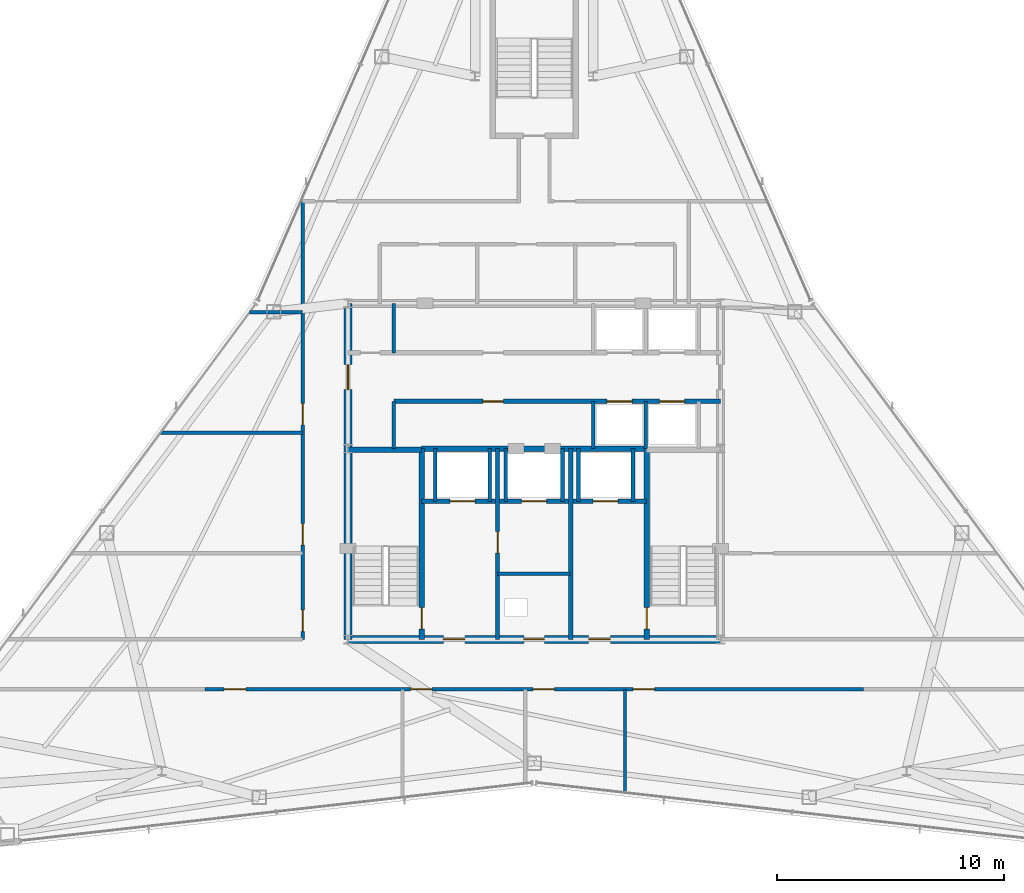
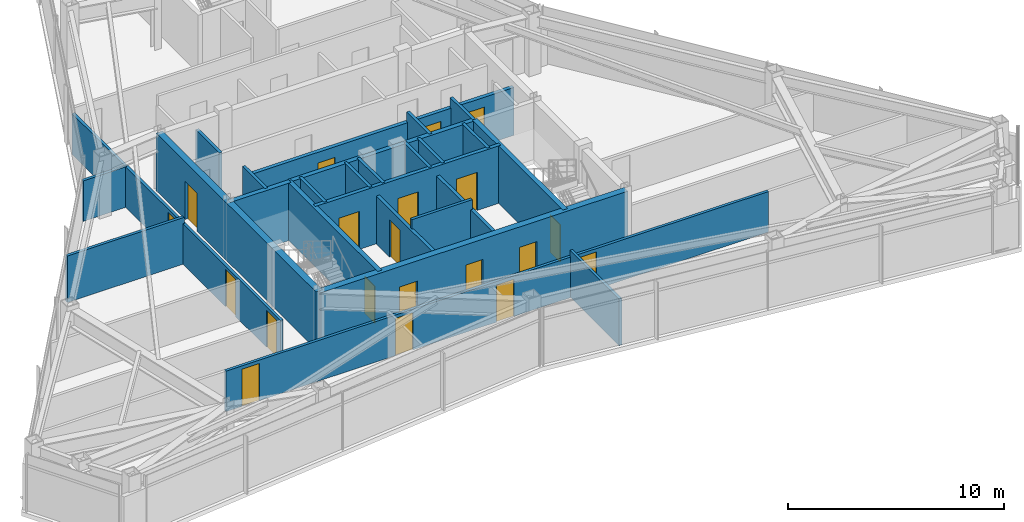
# One storey, part 9 of 12: 26 walls, 20 doors, 20 openings.
"""IFC4 building model written with IfcOpenShell, lengths in metres."""

from ifc_helpers import new_model, si_unit, direction, frame, frame_2d, origin, place, context, subcontext, project, spatial, rectangle, extrude, material, layer, layer_set, type_object, element, fill, save


model = new_model("IFC4")

# Units and contexts
model_context = context("Model", 3, precision=1e-05, world=origin(), true_north=direction((0.0, 1.0)))
body_context = subcontext(model_context, "Body", "Model", "MODEL_VIEW")
ifc_project = project(units=[si_unit("LENGTHUNIT", "METRE"), si_unit("AREAUNIT", "SQUARE_METRE"), si_unit("VOLUMEUNIT", "CUBIC_METRE"), si_unit("PLANEANGLEUNIT", "RADIAN"), si_unit("MASSUNIT", "GRAM", prefix="KILO")], contexts=[model_context])

# Site, building, storey
site_placement = place(None, origin())
site = spatial("IfcSite", under=ifc_project, at=site_placement, CompositionType="ELEMENT")
building_placement = place(site_placement, origin())
building = spatial("IfcBuilding", under=site, at=building_placement, Name="Varakhsha Concourse Tower", CompositionType="ELEMENT")
storey_placement = place(building_placement, frame((0.0, 0.0, 276.0)))
storey = spatial("IfcBuildingStorey", under=building, at=storey_placement, Name="L78", CompositionType="ELEMENT", Elevation=276.0)

# Wall, openings, doors
ifc_material_1 = material(Name="Concrete fc 65 MPa", Category="concrete")
ifc_layer_1 = layer(ifc_material_1, 0.35009765625, Name="WL-CORE-350")
ifc_layer_set_1 = layer_set([ifc_layer_1], Name="Concrete fc 65 MPa")
wall_type_1 = type_object("IfcWallType", Name="WL-CORE-350", PredefinedType="SHEAR", material=ifc_layer_set_1)
wall_1_placement = place(storey_placement, frame((31.800048828125, 16.39990234375, 0.0), z_axis=(0.0, 0.0, 1.0), x_axis=(1.0, 0.0, 0.0)))
wall_1 = element("IfcWall", 1, at=wall_1_placement, inside=storey, type_object=wall_type_1, Name="L78 Wall CWALL-S-L78", PredefinedType="SHEAR", context=body_context, shape_type="SweptSolid", body=[
    extrude(rectangle(XDim=16.39990234375, YDim=0.35009765625, at=frame_2d((8.199951171875, 0.0))), origin(), (0.0, 0.0, 1.0), 3.25),
])
opening_1_placement = place(wall_1_placement, frame((7.75, 0.0, 0.0)))
opening_1 = element("IfcOpeningElement", 2, at=opening_1_placement, cuts=wall_1, Name="Opening DF-06", PredefinedType="OPENING", context=body_context, shape_type="SweptSolid", body=[
    extrude(rectangle(XDim=0.89990234375, YDim=2.10009765625, at=frame_2d((0.449951171875, 1.050048828125))), frame((0.0, 0.18505859375, 0.0), z_axis=(0.0, -1.0, 0.0), x_axis=(1.0, 0.0, 0.0)), (0.0, 0.0, 1.0), 0.3701171875),
])
opening_2_placement = place(wall_1_placement, frame((4.199951171875, 0.0, 0.0)))
opening_2 = element("IfcOpeningElement", 3, at=opening_2_placement, cuts=wall_1, Name="Opening DF-05", PredefinedType="OPENING", context=body_context, shape_type="SweptSolid", body=[
    extrude(rectangle(XDim=0.949951171875, YDim=2.10009765625, at=frame_2d((0.47509765625, 1.050048828125))), frame((0.0, 0.18505859375, 0.0), z_axis=(0.0, -1.0, 0.0), x_axis=(1.0, 0.0, 0.0)), (0.0, 0.0, 1.0), 0.3701171875),
])
opening_3_placement = place(wall_1_placement, frame((10.60009765625, 0.0, 0.0)))
opening_3 = element("IfcOpeningElement", 4, at=opening_3_placement, cuts=wall_1, Name="Opening DF-05", PredefinedType="OPENING", context=body_context, shape_type="SweptSolid", body=[
    extrude(rectangle(XDim=0.949951171875, YDim=2.10009765625, at=frame_2d((0.47509765625, 1.050048828125))), frame((0.0, 0.18505859375, 0.0), z_axis=(0.0, -1.0, 0.0), x_axis=(1.0, 0.0, 0.0)), (0.0, 0.0, 1.0), 0.3701171875),
])
ifc_material_2 = material(Name="Hollow Galvanised Steel Fire Door Assembly", Category="steel")
door_type_1 = type_object("IfcDoorType", Name="DR-FD60-900", OperationType="NOTDEFINED", PredefinedType="DOOR", material=ifc_material_2)
door_1_placement = place(opening_1_placement, origin())
door_1 = element("IfcDoor", 5, at=door_1_placement, inside=storey, type_object=door_type_1, Name="L78 Electrical Riser Access Door", OperationType="SINGLE_SWING_LEFT", OverallHeight=2.10009765625, OverallWidth=0.89990234375, PredefinedType="DOOR", context=body_context, shape_type="SweptSolid", body=[
    extrude(rectangle(XDim=0.89990234375, YDim=2.10009765625, at=frame_2d((0.449951171875, 1.050048828125))), frame((0.0, 0.02490234375, 0.0), z_axis=(0.0, -1.0, 0.0), x_axis=(1.0, 0.0, 0.0)), (0.0, 0.0, 1.0), 0.050048828125),
])
fill(opening_1, door_1)
door_type_2 = type_object("IfcDoorType", Name="DR-FD60-950", OperationType="NOTDEFINED", PredefinedType="DOOR", material=ifc_material_2)
door_2_placement = place(opening_2_placement, origin())
door_2 = element("IfcDoor", 6, at=door_2_placement, inside=storey, type_object=door_type_2, Name="L78 Firefighting Lobby West Door", OperationType="SINGLE_SWING_RIGHT", OverallHeight=2.10009765625, OverallWidth=0.949951171875, PredefinedType="DOOR", context=body_context, shape_type="SweptSolid", body=[
    extrude(rectangle(XDim=0.949951171875, YDim=2.10009765625, at=frame_2d((0.47509765625, 1.050048828125))), frame((0.0, 0.02490234375, 0.0), z_axis=(0.0, -1.0, 0.0), x_axis=(1.0, 0.0, 0.0)), (0.0, 0.0, 1.0), 0.050048828125),
])
fill(opening_2, door_2)
door_3_placement = place(opening_3_placement, origin())
door_3 = element("IfcDoor", 7, at=door_3_placement, inside=storey, type_object=door_type_2, Name="L78 Firefighting Lobby East Door", OperationType="SINGLE_SWING_LEFT", OverallHeight=2.10009765625, OverallWidth=0.949951171875, PredefinedType="DOOR", context=body_context, shape_type="SweptSolid", body=[
    extrude(rectangle(XDim=0.949951171875, YDim=2.10009765625, at=frame_2d((0.47509765625, 1.050048828125))), frame((0.0, 0.02490234375, 0.0), z_axis=(0.0, -1.0, 0.0), x_axis=(1.0, 0.0, 0.0)), (0.0, 0.0, 1.0), 0.050048828125),
])
fill(opening_3, door_3)

# Wall, opening, door
wall_2_placement = place(storey_placement, frame((31.800048828125, 16.39990234375, 0.0), z_axis=(0.0, 0.0, 1.0), x_axis=(0.0, 1.0, 0.0)))
wall_2 = element("IfcWall", 8, at=wall_2_placement, inside=storey, type_object=wall_type_1, Name="L78 Wall CWALL-W-L78", PredefinedType="SHEAR", context=body_context, shape_type="SweptSolid", body=[
    extrude(rectangle(XDim=14.800048828125, YDim=0.35009765625, at=frame_2d((7.39990234375, 0.0))), origin(), (0.0, 0.0, 1.0), 3.25),
])
opening_4_placement = place(wall_2_placement, frame((11.0, 0.0, 0.0)))
opening_4 = element("IfcOpeningElement", 9, at=opening_4_placement, cuts=wall_2, Name="Opening DL-01", PredefinedType="OPENING", context=body_context, shape_type="SweptSolid", body=[
    extrude(rectangle(XDim=1.10009765625, YDim=2.14990234375, at=frame_2d((0.550048828125, 1.074951171875))), frame((0.0, 0.18505859375, 0.0), z_axis=(0.0, -1.0, 0.0), x_axis=(1.0, 0.0, 0.0)), (0.0, 0.0, 1.0), 0.3701171875),
])
ifc_material_3 = material(Name="Anodised Bronze Architectural Aluminium AA 6063-T6", Category="aluminium")
door_type_3 = type_object("IfcDoorType", Name="DR-LOB-1100", OperationType="NOTDEFINED", PredefinedType="DOOR", material=ifc_material_3)
door_4_placement = place(opening_4_placement, origin())
door_4 = element("IfcDoor", 10, at=door_4_placement, inside=storey, type_object=door_type_3, Name="L78 Lift Lobby West Concourse Door", OperationType="SINGLE_SWING_LEFT", OverallHeight=2.14990234375, OverallWidth=1.10009765625, PredefinedType="DOOR", context=body_context, shape_type="SweptSolid", body=[
    extrude(rectangle(XDim=1.10009765625, YDim=2.14990234375, at=frame_2d((0.550048828125, 1.074951171875))), frame((0.0, 0.02490234375, 0.0), z_axis=(0.0, -1.0, 0.0), x_axis=(1.0, 0.0, 0.0)), (0.0, 0.0, 1.0), 0.050048828125),
])
fill(opening_4, door_4)

ifc_material_4 = material(Name="Fire-Rated Type X Gypsum Partition Assembly", Category="gypsum")
ifc_layer_2 = layer(ifc_material_4, 0.179931640625, Name="WL-FFLOB-180")
ifc_layer_set_2 = layer_set([ifc_layer_2], Name="Fire-Rated Type X Gypsum Partition Assembly")
wall_type_2 = type_object("IfcWallType", Name="WL-FFLOB-180", PredefinedType="PARTITIONING", material=ifc_layer_set_2)
wall_3_placement = place(storey_placement, frame((38.389892578125, 16.39990234375, 0.0), z_axis=(0.0, 0.0, 1.0), x_axis=(0.0, 1.0, 0.0)))
wall_3 = element("IfcWall", 11, at=wall_3_placement, inside=storey, type_object=wall_type_2, Name="L78 Wall FFW-1E-L78", PredefinedType="PARTITIONING", context=body_context, shape_type="SweptSolid", body=[
    extrude(rectangle(XDim=8.400146484375, YDim=0.179931640625, at=frame_2d((4.2001953125, 0.0))), origin(), (0.0, 0.0, 1.0), 2.705078125),
])
opening_5_placement = place(wall_3_placement, frame((3.800048828125, 0.0, 0.0)))
opening_5 = element("IfcOpeningElement", 12, at=opening_5_placement, cuts=wall_3, Name="Opening DF-05", PredefinedType="OPENING", context=body_context, shape_type="SweptSolid", body=[
    extrude(rectangle(XDim=0.949951171875, YDim=2.10009765625, at=frame_2d((0.47509765625, 1.050048828125))), frame((0.0, 0.099853515625, 0.0), z_axis=(0.0, -1.0, 0.0), x_axis=(1.0, 0.0, 0.0)), (0.0, 0.0, 1.0), 0.199951171875),
])
door_5_placement = place(opening_5_placement, origin())
door_5 = element("IfcDoor", 13, at=door_5_placement, inside=storey, type_object=door_type_2, Name="L78 Service Vestibule Door", OperationType="SINGLE_SWING_RIGHT", OverallHeight=2.10009765625, OverallWidth=0.949951171875, PredefinedType="DOOR", context=body_context, shape_type="SweptSolid", body=[
    extrude(rectangle(XDim=0.949951171875, YDim=2.10009765625, at=frame_2d((0.47509765625, 1.050048828125))), frame((0.0, 0.02490234375, 0.0), z_axis=(0.0, -1.0, 0.0), x_axis=(1.0, 0.0, 0.0)), (0.0, 0.0, 1.0), 0.050048828125),
])
fill(opening_5, door_5)

# Walls
wall_4_placement = place(storey_placement, frame((41.610107421875, 16.39990234375, 0.0), z_axis=(0.0, 0.0, 1.0), x_axis=(0.0, 1.0, 0.0)))
element("IfcWall", 14, at=wall_4_placement, inside=storey, type_object=wall_type_2, Name="L78 Wall FFW-2W-L78", PredefinedType="PARTITIONING", context=body_context, shape_type="SweptSolid", body=[
    extrude(rectangle(XDim=8.400146484375, YDim=0.179931640625, at=frame_2d((4.2001953125, 0.0))), origin(), (0.0, 0.0, 1.0), 2.705078125),
])
ifc_layer_3 = layer(ifc_material_4, 0.14990234375, Name="WL-PART-150")
ifc_layer_set_3 = layer_set([ifc_layer_3], Name="Fire-Rated Type X Gypsum Partition Assembly")
wall_type_3 = type_object("IfcWallType", Name="WL-PART-150", PredefinedType="PARTITIONING", material=ifc_layer_set_3)
wall_5_placement = place(storey_placement, frame((38.389892578125, 19.300048828125, 0.0), z_axis=(0.0, 0.0, 1.0), x_axis=(1.0, 0.0, 0.0)))
element("IfcWall", 15, at=wall_5_placement, inside=storey, type_object=wall_type_3, Name="L78 Wall RSW-H-L78", PredefinedType="PARTITIONING", context=body_context, shape_type="SweptSolid", body=[
    extrude(rectangle(XDim=3.22021484375, YDim=0.14990234375, at=frame_2d((1.610107421875, 0.0))), origin(), (0.0, 0.0, 1.0), 3.25),
])

# Wall, openings, doors
wall_6_placement = place(storey_placement, frame((29.800048828125, 16.39990234375, 0.0), z_axis=(0.0, 0.0, 1.0), x_axis=(0.0, 1.0, 0.0)))
wall_6 = element("IfcWall", 16, at=wall_6_placement, inside=storey, type_object=wall_type_3, Name="L78 Wall CRW-W-L78", PredefinedType="PARTITIONING", context=body_context, shape_type="SweptSolid", body=[
    extrude(rectangle(XDim=19.300048828125, YDim=0.14990234375, at=frame_2d((9.64990234375, 0.0))), origin(), (0.0, 0.0, 1.0), 2.2919921875),
])
opening_6_placement = place(wall_6_placement, frame((0.35009765625, 0.0, 0.0)))
opening_6 = element("IfcOpeningElement", 17, at=opening_6_placement, cuts=wall_6, Name="Opening DF-05", PredefinedType="OPENING", context=body_context, shape_type="SweptSolid", body=[
    extrude(rectangle(XDim=0.949951171875, YDim=2.10009765625, at=frame_2d((0.47509765625, 1.050048828125))), frame((0.0, 0.0849609375, 0.0), z_axis=(0.0, -1.0, 0.0), x_axis=(1.0, 0.0, 0.0)), (0.0, 0.0, 1.0), 0.169921875),
])
opening_7_placement = place(wall_6_placement, frame((4.14990234375, 0.0, 0.0)))
opening_7 = element("IfcOpeningElement", 18, at=opening_7_placement, cuts=wall_6, Name="Opening DF-05", PredefinedType="OPENING", context=body_context, shape_type="SweptSolid", body=[
    extrude(rectangle(XDim=0.949951171875, YDim=2.10009765625, at=frame_2d((0.47509765625, 1.050048828125))), frame((0.0, 0.0849609375, 0.0), z_axis=(0.0, -1.0, 0.0), x_axis=(1.0, 0.0, 0.0)), (0.0, 0.0, 1.0), 0.169921875),
])
opening_8_placement = place(wall_6_placement, frame((9.449951171875, 0.0, 0.0)))
opening_8 = element("IfcOpeningElement", 19, at=opening_8_placement, cuts=wall_6, Name="Opening DF-05", PredefinedType="OPENING", context=body_context, shape_type="SweptSolid", body=[
    extrude(rectangle(XDim=0.949951171875, YDim=2.10009765625, at=frame_2d((0.47509765625, 1.050048828125))), frame((0.0, 0.0849609375, 0.0), z_axis=(0.0, -1.0, 0.0), x_axis=(1.0, 0.0, 0.0)), (0.0, 0.0, 1.0), 0.169921875),
])
door_6_placement = place(opening_6_placement, origin())
door_6 = element("IfcDoor", 20, at=door_6_placement, inside=storey, type_object=door_type_2, Name="L78 Diplomatic Reception Gallery L78 Door", OperationType="SINGLE_SWING_LEFT", OverallHeight=2.10009765625, OverallWidth=0.949951171875, PredefinedType="DOOR", context=body_context, shape_type="SweptSolid", body=[
    extrude(rectangle(XDim=0.949951171875, YDim=2.10009765625, at=frame_2d((0.47509765625, 1.050048828125))), frame((0.0, 0.02490234375, 0.0), z_axis=(0.0, -1.0, 0.0), x_axis=(1.0, 0.0, 0.0)), (0.0, 0.0, 1.0), 0.050048828125),
])
fill(opening_6, door_6)
door_7_placement = place(opening_7_placement, origin())
door_7 = element("IfcDoor", 21, at=door_7_placement, inside=storey, type_object=door_type_2, Name="L78 Executive Director Suite L78-W2 Door", OperationType="SINGLE_SWING_RIGHT", OverallHeight=2.10009765625, OverallWidth=0.949951171875, PredefinedType="DOOR", context=body_context, shape_type="SweptSolid", body=[
    extrude(rectangle(XDim=0.949951171875, YDim=2.10009765625, at=frame_2d((0.47509765625, 1.050048828125))), frame((0.0, 0.02490234375, 0.0), z_axis=(0.0, -1.0, 0.0), x_axis=(1.0, 0.0, 0.0)), (0.0, 0.0, 1.0), 0.050048828125),
])
fill(opening_7, door_7)
door_8_placement = place(opening_8_placement, origin())
door_8 = element("IfcDoor", 22, at=door_8_placement, inside=storey, type_object=door_type_2, Name="L78 Executive Director Suite L78-W3 Door", OperationType="SINGLE_SWING_LEFT", OverallHeight=2.10009765625, OverallWidth=0.949951171875, PredefinedType="DOOR", context=body_context, shape_type="SweptSolid", body=[
    extrude(rectangle(XDim=0.949951171875, YDim=2.10009765625, at=frame_2d((0.47509765625, 1.050048828125))), frame((0.0, 0.02490234375, 0.0), z_axis=(0.0, -1.0, 0.0), x_axis=(1.0, 0.0, 0.0)), (0.0, 0.0, 1.0), 0.050048828125),
])
fill(opening_8, door_8)

wall_7_placement = place(storey_placement, frame((25.5, 14.199951171875, 0.0), z_axis=(0.0, 0.0, 1.0), x_axis=(1.0, 0.0, 0.0)))
wall_7 = element("IfcWall", 23, at=wall_7_placement, inside=storey, type_object=wall_type_3, Name="L78 Wall CRW-S-DOOR-L78", PredefinedType="PARTITIONING", context=body_context, shape_type="SweptSolid", body=[
    extrude(rectangle(XDim=29.0, YDim=0.14990234375, at=frame_2d((14.5, 0.0))), origin(), (0.0, 0.0, 1.0), 2.2919921875),
])
opening_9_placement = place(wall_7_placement, frame((0.85009765625, 0.0, 0.0)))
opening_9 = element("IfcOpeningElement", 24, at=opening_9_placement, cuts=wall_7, Name="Opening DF-05", PredefinedType="OPENING", context=body_context, shape_type="SweptSolid", body=[
    extrude(rectangle(XDim=0.949951171875, YDim=2.10009765625, at=frame_2d((0.47509765625, 1.050048828125))), frame((0.0, 0.0849609375, 0.0), z_axis=(0.0, -1.0, 0.0), x_axis=(1.0, 0.0, 0.0)), (0.0, 0.0, 1.0), 0.169921875),
])
opening_10_placement = place(wall_7_placement, frame((9.050048828125, 0.0, 0.0)))
opening_10 = element("IfcOpeningElement", 25, at=opening_10_placement, cuts=wall_7, Name="Opening DF-05", PredefinedType="OPENING", context=body_context, shape_type="SweptSolid", body=[
    extrude(rectangle(XDim=0.949951171875, YDim=2.10009765625, at=frame_2d((0.47509765625, 1.050048828125))), frame((0.0, 0.0849609375, 0.0), z_axis=(0.0, -1.0, 0.0), x_axis=(1.0, 0.0, 0.0)), (0.0, 0.0, 1.0), 0.169921875),
])
opening_11_placement = place(wall_7_placement, frame((14.449951171875, 0.0, 0.0)))
opening_11 = element("IfcOpeningElement", 26, at=opening_11_placement, cuts=wall_7, Name="Opening DF-05", PredefinedType="OPENING", context=body_context, shape_type="SweptSolid", body=[
    extrude(rectangle(XDim=0.949951171875, YDim=2.10009765625, at=frame_2d((0.47509765625, 1.050048828125))), frame((0.0, 0.0849609375, 0.0), z_axis=(0.0, -1.0, 0.0), x_axis=(1.0, 0.0, 0.0)), (0.0, 0.0, 1.0), 0.169921875),
])
opening_12_placement = place(wall_7_placement, frame((18.85009765625, 0.0, 0.0)))
opening_12 = element("IfcOpeningElement", 27, at=opening_12_placement, cuts=wall_7, Name="Opening DF-05", PredefinedType="OPENING", context=body_context, shape_type="SweptSolid", body=[
    extrude(rectangle(XDim=0.949951171875, YDim=2.10009765625, at=frame_2d((0.47509765625, 1.050048828125))), frame((0.0, 0.0849609375, 0.0), z_axis=(0.0, -1.0, 0.0), x_axis=(1.0, 0.0, 0.0)), (0.0, 0.0, 1.0), 0.169921875),
])
door_9_placement = place(opening_9_placement, origin())
door_9 = element("IfcDoor", 28, at=door_9_placement, inside=storey, type_object=door_type_2, Name="L78 Grand Corner Boardroom L78-S1 Door", OperationType="SINGLE_SWING_LEFT", OverallHeight=2.10009765625, OverallWidth=0.949951171875, PredefinedType="DOOR", context=body_context, shape_type="SweptSolid", body=[
    extrude(rectangle(XDim=0.949951171875, YDim=2.10009765625, at=frame_2d((0.47509765625, 1.050048828125))), frame((0.0, 0.02490234375, 0.0), z_axis=(0.0, -1.0, 0.0), x_axis=(1.0, 0.0, 0.0)), (0.0, 0.0, 1.0), 0.050048828125),
])
fill(opening_9, door_9)
door_10_placement = place(opening_10_placement, origin())
door_10 = element("IfcDoor", 29, at=door_10_placement, inside=storey, type_object=door_type_2, Name="L78 Executive Director Suite L78-S2 Door", OperationType="SINGLE_SWING_RIGHT", OverallHeight=2.10009765625, OverallWidth=0.949951171875, PredefinedType="DOOR", context=body_context, shape_type="SweptSolid", body=[
    extrude(rectangle(XDim=0.949951171875, YDim=2.10009765625, at=frame_2d((0.47509765625, 1.050048828125))), frame((0.0, 0.02490234375, 0.0), z_axis=(0.0, -1.0, 0.0), x_axis=(1.0, 0.0, 0.0)), (0.0, 0.0, 1.0), 0.050048828125),
])
fill(opening_10, door_10)
door_11_placement = place(opening_11_placement, origin())
door_11 = element("IfcDoor", 30, at=door_11_placement, inside=storey, type_object=door_type_2, Name="L78 Executive Director Suite L78-S3 Door", OperationType="SINGLE_SWING_LEFT", OverallHeight=2.10009765625, OverallWidth=0.949951171875, PredefinedType="DOOR", context=body_context, shape_type="SweptSolid", body=[
    extrude(rectangle(XDim=0.949951171875, YDim=2.10009765625, at=frame_2d((0.47509765625, 1.050048828125))), frame((0.0, 0.02490234375, 0.0), z_axis=(0.0, -1.0, 0.0), x_axis=(1.0, 0.0, 0.0)), (0.0, 0.0, 1.0), 0.050048828125),
])
fill(opening_11, door_11)
door_12_placement = place(opening_12_placement, origin())
door_12 = element("IfcDoor", 31, at=door_12_placement, inside=storey, type_object=door_type_2, Name="L78 Executive Director Suite L78-S4 Door", OperationType="SINGLE_SWING_RIGHT", OverallHeight=2.10009765625, OverallWidth=0.949951171875, PredefinedType="DOOR", context=body_context, shape_type="SweptSolid", body=[
    extrude(rectangle(XDim=0.949951171875, YDim=2.10009765625, at=frame_2d((0.47509765625, 1.050048828125))), frame((0.0, 0.02490234375, 0.0), z_axis=(0.0, -1.0, 0.0), x_axis=(1.0, 0.0, 0.0)), (0.0, 0.0, 1.0), 0.050048828125),
])
fill(opening_12, door_12)

# Walls
wall_8_placement = place(storey_placement, frame((44.0, 9.6533203125, 0.0), z_axis=(0.0, 0.0, 1.0), x_axis=(0.0, 1.0, 0.0)))
element("IfcWall", 32, at=wall_8_placement, inside=storey, type_object=wall_type_3, Name="L78 Wall ODIV-S3-L78", PredefinedType="PARTITIONING", context=body_context, shape_type="SweptSolid", body=[
    extrude(rectangle(XDim=4.546630859375, YDim=0.14990234375, at=frame_2d((2.2734375, 0.0))), origin(), (0.0, 0.0, 1.0), 2.6279296875),
])
wall_9_placement = place(storey_placement, frame((23.546630859375, 25.5, 0.0), z_axis=(0.0, 0.0, 1.0), x_axis=(1.0, 0.0, 0.0)))
element("IfcWall", 33, at=wall_9_placement, inside=storey, type_object=wall_type_3, Name="L78 Wall ODIV-W2-L78", PredefinedType="PARTITIONING", context=body_context, shape_type="SweptSolid", body=[
    extrude(rectangle(XDim=6.25341796875, YDim=0.14990234375, at=frame_2d((3.126708984375, 0.0))), origin(), (0.0, 0.0, 1.0), 2.6279296875),
])
wall_10_placement = place(storey_placement, frame((27.465576171875, 30.800048828125, 0.0), z_axis=(0.0, 0.0, 1.0), x_axis=(1.0, 0.0, 0.0)))
element("IfcWall", 34, at=wall_10_placement, inside=storey, type_object=wall_type_3, Name="L78 Wall ODIV-W3-L78", PredefinedType="PARTITIONING", context=body_context, shape_type="SweptSolid", body=[
    extrude(rectangle(XDim=2.33447265625, YDim=0.14990234375, at=frame_2d((1.167236328125, 0.0))), origin(), (0.0, 0.0, 1.0), 2.2919921875),
])

# Wall, openings, doors
ifc_layer_4 = layer(ifc_material_4, 0.199951171875, Name="WL-SHAFT-220")
ifc_layer_set_4 = layer_set([ifc_layer_4], Name="Fire-Rated Type X Gypsum Partition Assembly")
wall_type_4 = type_object("IfcWallType", Name="WL-SHAFT-220", PredefinedType="SOLIDWALL", material=ifc_layer_set_4)
wall_11_placement = place(storey_placement, frame((35.044921875, 22.47998046875, 0.0), z_axis=(0.0, 0.0, 1.0), x_axis=(1.0, 0.0, 0.0)))
wall_11 = element("IfcWall", 35, at=wall_11_placement, inside=storey, type_object=wall_type_4, Name="L78 Wall FFW-NH-L78", PredefinedType="SOLIDWALL", context=body_context, shape_type="SweptSolid", body=[
    extrude(rectangle(XDim=9.91015625, YDim=0.199951171875, at=frame_2d((4.955078125, 0.0))), origin(), (0.0, 0.0, 1.0), 3.25),
])
opening_13_placement = place(wall_11_placement, frame((1.2548828125, 0.0, 0.0)))
opening_13 = element("IfcOpeningElement", 36, at=opening_13_placement, cuts=wall_11, Name="Opening LD-FFL-1", PredefinedType="OPENING", context=body_context, shape_type="SweptSolid", body=[
    extrude(rectangle(XDim=1.10009765625, YDim=2.14990234375, at=frame_2d((0.550048828125, 1.074951171875))), frame((0.0, 0.10986328125, 0.0), z_axis=(0.0, -1.0, 0.0), x_axis=(1.0, 0.0, 0.0)), (0.0, 0.0, 1.0), 0.219970703125),
])
opening_14_placement = place(wall_11_placement, frame((7.554931640625, 0.0, 0.0)))
opening_14 = element("IfcOpeningElement", 37, at=opening_14_placement, cuts=wall_11, Name="Opening LD-FFL-2", PredefinedType="OPENING", context=body_context, shape_type="SweptSolid", body=[
    extrude(rectangle(XDim=1.10009765625, YDim=2.14990234375, at=frame_2d((0.550048828125, 1.074951171875))), frame((0.0, 0.10986328125, 0.0), z_axis=(0.0, -1.0, 0.0), x_axis=(1.0, 0.0, 0.0)), (0.0, 0.0, 1.0), 0.219970703125),
])
opening_15_placement = place(wall_11_placement, frame((4.405029296875, 0.0, 0.0)))
opening_15 = element("IfcOpeningElement", 38, at=opening_15_placement, cuts=wall_11, Name="Opening LD-SVL-1", PredefinedType="OPENING", context=body_context, shape_type="SweptSolid", body=[
    extrude(rectangle(XDim=1.10009765625, YDim=2.14990234375, at=frame_2d((0.550048828125, 1.074951171875))), frame((0.0, 0.10986328125, 0.0), z_axis=(0.0, -1.0, 0.0), x_axis=(1.0, 0.0, 0.0)), (0.0, 0.0, 1.0), 0.219970703125),
])
ifc_material_5 = material(Name="Brushed Austenitic Stainless Steel AISI 316", Category="steel")
door_type_4 = type_object("IfcDoorType", Name="DR-LD-1100", OperationType="DOUBLE_DOOR_SLIDING", PredefinedType="DOOR", material=ifc_material_5)
door_13_placement = place(opening_13_placement, origin())
door_13 = element("IfcDoor", 39, at=door_13_placement, inside=storey, type_object=door_type_4, Name="Lift Landing Door FFL-1 L78", OperationType="DOUBLE_DOOR_SLIDING", OverallHeight=2.14990234375, OverallWidth=1.10009765625, PredefinedType="DOOR", context=body_context, shape_type="SweptSolid", body=[
    extrude(rectangle(XDim=1.10009765625, YDim=2.14990234375, at=frame_2d((0.550048828125, 1.074951171875))), frame((0.0, 0.02490234375, 0.0), z_axis=(0.0, -1.0, 0.0), x_axis=(1.0, 0.0, 0.0)), (0.0, 0.0, 1.0), 0.050048828125),
])
fill(opening_13, door_13)
door_14_placement = place(opening_14_placement, origin())
door_14 = element("IfcDoor", 40, at=door_14_placement, inside=storey, type_object=door_type_4, Name="Lift Landing Door FFL-2 L78", OperationType="DOUBLE_DOOR_SLIDING", OverallHeight=2.14990234375, OverallWidth=1.10009765625, PredefinedType="DOOR", context=body_context, shape_type="SweptSolid", body=[
    extrude(rectangle(XDim=1.10009765625, YDim=2.14990234375, at=frame_2d((0.550048828125, 1.074951171875))), frame((0.0, 0.02490234375, 0.0), z_axis=(0.0, -1.0, 0.0), x_axis=(1.0, 0.0, 0.0)), (0.0, 0.0, 1.0), 0.050048828125),
])
fill(opening_14, door_14)
door_15_placement = place(opening_15_placement, origin())
door_15 = element("IfcDoor", 41, at=door_15_placement, inside=storey, type_object=door_type_4, Name="Lift Landing Door SVL-1 L78", OperationType="DOUBLE_DOOR_SLIDING", OverallHeight=2.14990234375, OverallWidth=1.10009765625, PredefinedType="DOOR", context=body_context, shape_type="SweptSolid", body=[
    extrude(rectangle(XDim=1.10009765625, YDim=2.14990234375, at=frame_2d((0.550048828125, 1.074951171875))), frame((0.0, 0.02490234375, 0.0), z_axis=(0.0, -1.0, 0.0), x_axis=(1.0, 0.0, 0.0)), (0.0, 0.0, 1.0), 0.050048828125),
])
fill(opening_15, door_15)

# Walls
for number, where, z_axis, x_axis, name in (
    (42, (35.64990234375, 22.47998046875, 0.0), (0.0, 0.0, 1.0), (0.0, 1.0, 0.0), "L78 Wall SHW-FFL-1-W-L78"),
    (43, (38.050048828125, 22.47998046875, 0.0), (0.0, 0.0, 1.0), (0.0, 1.0, 0.0), "L78 Wall SHW-FFL-1-E-L78"),
    (44, (41.949951171875, 22.47998046875, 0.0), (0.0, 0.0, 1.0), (0.0, 1.0, 0.0), "L78 Wall SHW-FFL-2-W-L78"),
    (45, (44.35009765625, 22.47998046875, 0.0), (0.0, 0.0, 1.0), (0.0, 1.0, 0.0), "L78 Wall SHW-FFL-2-E-L78"),
    (46, (38.75, 22.47998046875, 0.0), (0.0, 0.0, 1.0), (0.0, 1.0, 0.0), "L78 Wall SHW-SVL-1-W-L78"),
    (47, (41.25, 22.47998046875, 0.0), (0.0, 0.0, 1.0), (0.0, 1.0, 0.0), "L78 Wall SHW-SVL-1-E-L78"),
):
    element("IfcWall", number, at=place(storey_placement, frame(where, z_axis=z_axis, x_axis=x_axis)), inside=storey, type_object=wall_type_4, Name=name, PredefinedType="SOLIDWALL", context=body_context, shape_type="SweptSolid", body=[
        extrude(rectangle(XDim=2.320068359375, YDim=0.159912109375, at=frame_2d((1.16015625, 0.0))), origin(), (0.0, 0.0, 1.0), 3.25),
    ])

# Wall, openings, doors
wall_12_placement = place(storey_placement, frame((33.820068359375, 26.8798828125, 0.0), z_axis=(0.0, 0.0, 1.0), x_axis=(1.0, 0.0, 0.0)))
wall_12 = element("IfcWall", 48, at=wall_12_placement, inside=storey, type_object=wall_type_4, Name="L78 Wall PLW-S-L78", PredefinedType="SOLIDWALL", context=body_context, shape_type="SweptSolid", body=[
    extrude(rectangle(XDim=14.3798828125, YDim=0.199951171875, at=frame_2d((7.18994140625, 0.0))), origin(), (0.0, 0.0, 1.0), 2.705078125),
])
opening_16_placement = place(wall_12_placement, frame((3.919921875, 0.0, 0.0)))
opening_16 = element("IfcOpeningElement", 49, at=opening_16_placement, cuts=wall_12, Name="Opening DF-06", PredefinedType="OPENING", context=body_context, shape_type="SweptSolid", body=[
    extrude(rectangle(XDim=0.89990234375, YDim=2.10009765625, at=frame_2d((0.449951171875, 1.050048828125))), frame((0.0, 0.10986328125, 0.0), z_axis=(0.0, -1.0, 0.0), x_axis=(1.0, 0.0, 0.0)), (0.0, 0.0, 1.0), 0.219970703125),
])
opening_17_placement = place(wall_12_placement, frame((9.389892578125, 0.0, 0.0)))
opening_17 = element("IfcOpeningElement", 50, at=opening_17_placement, cuts=wall_12, Name="Opening LD-LF-P11", PredefinedType="OPENING", context=body_context, shape_type="SweptSolid", body=[
    extrude(rectangle(XDim=1.10009765625, YDim=2.14990234375, at=frame_2d((0.550048828125, 1.074951171875))), frame((0.0, 0.10986328125, 0.0), z_axis=(0.0, -1.0, 0.0), x_axis=(1.0, 0.0, 0.0)), (0.0, 0.0, 1.0), 0.219970703125),
])
opening_18_placement = place(wall_12_placement, frame((11.7099609375, 0.0, 0.0)))
opening_18 = element("IfcOpeningElement", 51, at=opening_18_placement, cuts=wall_12, Name="Opening LD-LF-P12", PredefinedType="OPENING", context=body_context, shape_type="SweptSolid", body=[
    extrude(rectangle(XDim=1.10009765625, YDim=2.14990234375, at=frame_2d((0.550048828125, 1.074951171875))), frame((0.0, 0.10986328125, 0.0), z_axis=(0.0, -1.0, 0.0), x_axis=(1.0, 0.0, 0.0)), (0.0, 0.0, 1.0), 0.219970703125),
])
door_16_placement = place(opening_16_placement, origin())
door_16 = element("IfcDoor", 52, at=door_16_placement, inside=storey, type_object=door_type_1, Name="L78 Executive Pantry and Copy Suite Door", OperationType="SINGLE_SWING_RIGHT", OverallHeight=2.10009765625, OverallWidth=0.89990234375, PredefinedType="DOOR", context=body_context, shape_type="SweptSolid", body=[
    extrude(rectangle(XDim=0.89990234375, YDim=2.10009765625, at=frame_2d((0.449951171875, 1.050048828125))), frame((0.0, 0.02490234375, 0.0), z_axis=(0.0, -1.0, 0.0), x_axis=(1.0, 0.0, 0.0)), (0.0, 0.0, 1.0), 0.050048828125),
])
fill(opening_16, door_16)
door_17_placement = place(opening_17_placement, origin())
door_17 = element("IfcDoor", 53, at=door_17_placement, inside=storey, type_object=door_type_4, Name="Lift Landing Door LF-P11 L78", OperationType="DOUBLE_DOOR_SLIDING", OverallHeight=2.14990234375, OverallWidth=1.10009765625, PredefinedType="DOOR", context=body_context, shape_type="SweptSolid", body=[
    extrude(rectangle(XDim=1.10009765625, YDim=2.14990234375, at=frame_2d((0.550048828125, 1.074951171875))), frame((0.0, 0.02490234375, 0.0), z_axis=(0.0, -1.0, 0.0), x_axis=(1.0, 0.0, 0.0)), (0.0, 0.0, 1.0), 0.050048828125),
])
fill(opening_17, door_17)
door_18_placement = place(opening_18_placement, origin())
door_18 = element("IfcDoor", 54, at=door_18_placement, inside=storey, type_object=door_type_4, Name="Lift Landing Door LF-P12 L78", OperationType="DOUBLE_DOOR_SLIDING", OverallHeight=2.14990234375, OverallWidth=1.10009765625, PredefinedType="DOOR", context=body_context, shape_type="SweptSolid", body=[
    extrude(rectangle(XDim=1.10009765625, YDim=2.14990234375, at=frame_2d((0.550048828125, 1.074951171875))), frame((0.0, 0.02490234375, 0.0), z_axis=(0.0, -1.0, 0.0), x_axis=(1.0, 0.0, 0.0)), (0.0, 0.0, 1.0), 0.050048828125),
])
fill(opening_18, door_18)

# Walls
wall_13_placement = place(storey_placement, frame((33.820068359375, 29.02001953125, 0.0), z_axis=(0.0, 0.0, 1.0), x_axis=(0.0, 1.0, 0.0)))
element("IfcWall", 55, at=wall_13_placement, inside=storey, type_object=wall_type_4, Name="L78 Wall WBOH-E1-L78", PredefinedType="SOLIDWALL", context=body_context, shape_type="SweptSolid", body=[
    extrude(rectangle(XDim=2.179931640625, YDim=0.159912109375, at=frame_2d((1.08984375, 0.0))), origin(), (0.0, 0.0, 1.0), 2.705078125),
])
for number, where, z_axis, x_axis, name in (
    (56, (33.820068359375, 24.800048828125, 0.0), (0.0, 0.0, 1.0), (0.0, 1.0, 0.0), "L78 Wall WBOH-E2-L78"),
    (57, (42.60009765625, 24.800048828125, 0.0), (0.0, 0.0, 1.0), (0.0, 1.0, 0.0), "L78 Wall SHW-LF-P11-W-L78"),
    (58, (44.919921875, 24.800048828125, 0.0), (0.0, 0.0, 1.0), (0.0, 1.0, 0.0), "L78 Wall SHW-LF-P11-E-L78"),
):
    element("IfcWall", number, at=place(storey_placement, frame(where, z_axis=z_axis, x_axis=x_axis)), inside=storey, type_object=wall_type_4, Name=name, PredefinedType="SOLIDWALL", context=body_context, shape_type="SweptSolid", body=[
        extrude(rectangle(XDim=2.079833984375, YDim=0.159912109375, at=frame_2d((1.0400390625, 0.0))), origin(), (0.0, 0.0, 1.0), 3.25),
    ])

# Wall, opening, door
ifc_material_6 = material(Name="Concrete fc 45 MPa", Category="concrete")
ifc_layer_5 = layer(ifc_material_6, 0.25, Name="WL-STAIR-250")
ifc_layer_set_5 = layer_set([ifc_layer_5], Name="Concrete fc 45 MPa")
wall_type_5 = type_object("IfcWallType", Name="WL-STAIR-250", PredefinedType="SHEAR", material=ifc_layer_set_5)
wall_14_placement = place(storey_placement, frame((35.044921875, 16.39990234375, 0.0), z_axis=(0.0, 0.0, 1.0), x_axis=(0.0, 1.0, 0.0)))
wall_14 = element("IfcWall", 59, at=wall_14_placement, inside=storey, type_object=wall_type_5, Name="L78 Wall SWALL-ST1-E-L78", PredefinedType="SHEAR", context=body_context, shape_type="SweptSolid", body=[
    extrude(rectangle(XDim=8.400146484375, YDim=0.25, at=frame_2d((4.2001953125, 0.0))), origin(), (0.0, 0.0, 1.0), 3.25),
])
opening_19_placement = place(wall_14_placement, frame((0.449951171875, 0.0, 0.0)))
opening_19 = element("IfcOpeningElement", 60, at=opening_19_placement, cuts=wall_14, Name="Opening DF-03", PredefinedType="OPENING", context=body_context, shape_type="SweptSolid", body=[
    extrude(rectangle(XDim=0.949951171875, YDim=2.10009765625, at=frame_2d((0.47509765625, 1.050048828125))), frame((0.0, 0.135009765625, 0.0), z_axis=(0.0, -1.0, 0.0), x_axis=(1.0, 0.0, 0.0)), (0.0, 0.0, 1.0), 0.27001953125),
])
door_type_5 = type_object("IfcDoorType", Name="DR-FD90-950", OperationType="NOTDEFINED", PredefinedType="DOOR", material=ifc_material_2)
door_19_placement = place(opening_19_placement, origin())
door_19 = element("IfcDoor", 61, at=door_19_placement, inside=storey, type_object=door_type_5, Name="L78 Stair ST1 Fire Door", OperationType="SINGLE_SWING_LEFT", OverallHeight=2.10009765625, OverallWidth=0.949951171875, PredefinedType="DOOR", context=body_context, shape_type="SweptSolid", body=[
    extrude(rectangle(XDim=0.949951171875, YDim=2.10009765625, at=frame_2d((0.47509765625, 1.050048828125))), frame((0.0, 0.02490234375, 0.0), z_axis=(0.0, -1.0, 0.0), x_axis=(1.0, 0.0, 0.0)), (0.0, 0.0, 1.0), 0.050048828125),
])
fill(opening_19, door_19)

# Wall
wall_15_placement = place(storey_placement, frame((31.800048828125, 24.7548828125, 0.0), z_axis=(0.0, 0.0, 1.0), x_axis=(1.0, 0.0, 0.0)))
element("IfcWall", 62, at=wall_15_placement, inside=storey, type_object=wall_type_5, Name="L78 Wall SWALL-ST1-N-L78", PredefinedType="SHEAR", context=body_context, shape_type="SweptSolid", body=[
    extrude(rectangle(XDim=3.244873046875, YDim=0.25, at=frame_2d((1.62255859375, 0.0))), origin(), (0.0, 0.0, 1.0), 3.25),
])

# Wall, opening, door
wall_16_placement = place(storey_placement, frame((44.955078125, 16.39990234375, 0.0), z_axis=(0.0, 0.0, 1.0), x_axis=(0.0, 1.0, 0.0)))
wall_16 = element("IfcWall", 63, at=wall_16_placement, inside=storey, type_object=wall_type_5, Name="L78 Wall SWALL-ST2-W-L78", PredefinedType="SHEAR", context=body_context, shape_type="SweptSolid", body=[
    extrude(rectangle(XDim=8.400146484375, YDim=0.25, at=frame_2d((4.2001953125, 0.0))), origin(), (0.0, 0.0, 1.0), 3.25),
])
opening_20_placement = place(wall_16_placement, frame((0.449951171875, 0.0, 0.0)))
opening_20 = element("IfcOpeningElement", 64, at=opening_20_placement, cuts=wall_16, Name="Opening DF-03", PredefinedType="OPENING", context=body_context, shape_type="SweptSolid", body=[
    extrude(rectangle(XDim=0.949951171875, YDim=2.10009765625, at=frame_2d((0.47509765625, 1.050048828125))), frame((0.0, 0.135009765625, 0.0), z_axis=(0.0, -1.0, 0.0), x_axis=(1.0, 0.0, 0.0)), (0.0, 0.0, 1.0), 0.27001953125),
])
door_20_placement = place(opening_20_placement, origin())
door_20 = element("IfcDoor", 65, at=door_20_placement, inside=storey, type_object=door_type_5, Name="L78 Stair ST2 Fire Door", OperationType="SINGLE_SWING_RIGHT", OverallHeight=2.10009765625, OverallWidth=0.949951171875, PredefinedType="DOOR", context=body_context, shape_type="SweptSolid", body=[
    extrude(rectangle(XDim=0.949951171875, YDim=2.10009765625, at=frame_2d((0.47509765625, 1.050048828125))), frame((0.0, 0.02490234375, 0.0), z_axis=(0.0, -1.0, 0.0), x_axis=(1.0, 0.0, 0.0)), (0.0, 0.0, 1.0), 0.050048828125),
])
fill(opening_20, door_20)

# Wall
wall_17_placement = place(storey_placement, frame((35.044921875, 24.800048828125, 0.0), z_axis=(0.0, 0.0, 1.0), x_axis=(1.0, 0.0, 0.0)))
element("IfcWall", 66, at=wall_17_placement, inside=storey, type_object=wall_type_5, Name="L78 Wall SWALL-MID-H-L78", PredefinedType="SHEAR", context=body_context, shape_type="SweptSolid", body=[
    extrude(rectangle(XDim=9.91015625, YDim=0.25, at=frame_2d((4.955078125, 0.0))), origin(), (0.0, 0.0, 1.0), 3.25),
])

save(model, "model.ifc")
